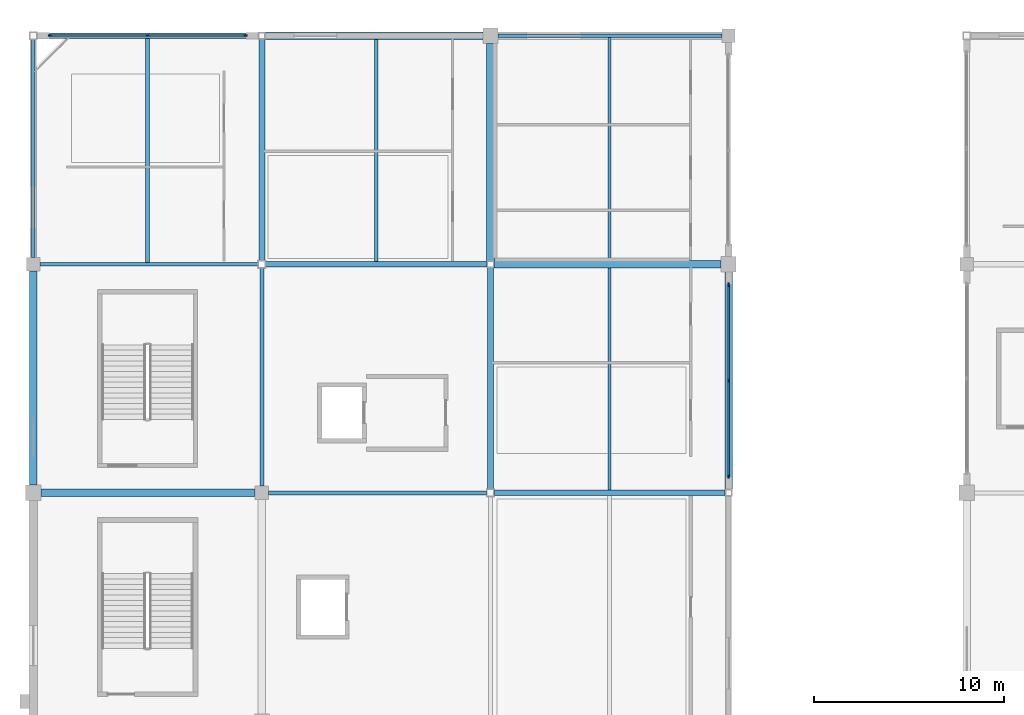
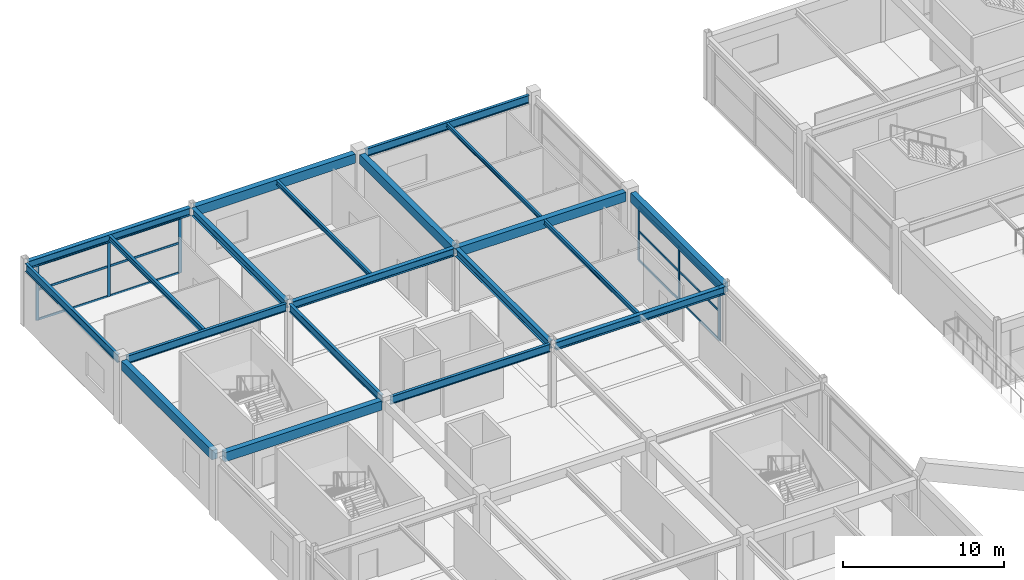
# One storey, part 62 of 128: 20 beams, 18 members, 2 elements without a shape of their own.
"""IFC4 building model written with IfcOpenShell, lengths in metres."""

from ifc_helpers import new_model, si_unit, direction, frame, origin, origin_2d, place, context, subcontext, project, spatial, rectangle, i_section, extrude, material, layer, layer_set, material_profile, profile_set, type_object, element, aggregate, save


model = new_model("IFC4")

# Units and contexts
model_context = context("Model", 3, precision=1e-05, world=origin(), true_north=direction((0.0, 1.0)))
body_context = subcontext(model_context, "Body", "Model", "MODEL_VIEW")
ifc_project = project(units=[si_unit("LENGTHUNIT", "METRE"), si_unit("AREAUNIT", "SQUARE_METRE"), si_unit("VOLUMEUNIT", "CUBIC_METRE"), si_unit("PLANEANGLEUNIT", "RADIAN"), si_unit("MASSUNIT", "GRAM", prefix="KILO")], contexts=[model_context])

# Site, building, storey
site_placement = place(None, origin())
site = spatial("IfcSite", under=ifc_project, at=site_placement, CompositionType="ELEMENT")
building_placement = place(site_placement, origin())
building = spatial("IfcBuilding", under=site, at=building_placement, Name="Kazenohara Klinker Stadium", CompositionType="ELEMENT")
storey_placement = place(building_placement, frame((0.0, 0.0, 15.300048828125)))
storey = spatial("IfcBuildingStorey", under=building, at=storey_placement, Name="L03", CompositionType="ELEMENT", Elevation=15.300048828125)

# Beams
ifc_material_1 = material(Name="Steel S355", Category="steel")
ifc_material_profile_1 = material_profile(ifc_material_1, i_section(OverallWidth=0.199951171875, OverallDepth=0.39990234375, WebThickness=0.008056640625, FlangeThickness=0.012939453125, FilletRadius=0.012939453125, at=origin_2d()), Name="H-400x200x8x13")
ifc_profile_set_1 = profile_set([ifc_material_profile_1], Name="Steel S355")
beam_type_1 = type_object("IfcBeamType", Name="BM-JST03", PredefinedType="JOIST", material=ifc_profile_set_1)
beam_1_placement = place(storey_placement, frame((6.0, 156.10009765625, 4.56005859375), z_axis=(0.0, 1.0, 0.0), x_axis=(-1.0, 0.0, 0.0)))
element("IfcBeam", 1, at=beam_1_placement, inside=storey, type_object=beam_type_1, Name="Secondary floor joist SJ03 L03 1/P", PredefinedType="JOIST", context=body_context, shape_type="SweptSolid", body=[
    extrude(i_section(OverallWidth=0.199951171875, OverallDepth=0.39990234375, WebThickness=0.008056640625, FlangeThickness=0.012939453125, FilletRadius=0.012939453125, at=origin_2d()), origin(), (0.0, 0.0, 1.0), 11.75),
])
ifc_material_profile_2 = material_profile(ifc_material_1, i_section(OverallWidth=0.175048828125, OverallDepth=0.35009765625, WebThickness=0.007080078125, FlangeThickness=0.010986328125, FilletRadius=0.012939453125, at=origin_2d()), Name="H-350x175x7x11")
ifc_profile_set_2 = profile_set([ifc_material_profile_2], Name="Steel S355")
beam_type_2 = type_object("IfcBeamType", Name="BM-JST04", PredefinedType="JOIST", material=ifc_profile_set_2)
for number, where, z_axis, x_axis, name in (
    (2, (18.0, 156.14990234375, 4.5849609375), (0.0, 1.0, 0.0), (-1.0, 0.0, 0.0), "Secondary floor joist SJ04 L03 2/P"),
    (3, (30.25, 144.14990234375, 4.5849609375), (0.0, 1.0, 0.0), (-1.0, 0.0, 0.0), "Secondary floor joist SJ04 L03 3/N"),
):
    element("IfcBeam", number, at=place(storey_placement, frame(where, z_axis=z_axis, x_axis=x_axis)), inside=storey, type_object=beam_type_2, Name=name, PredefinedType="JOIST", context=body_context, shape_type="SweptSolid", body=[
        extrude(i_section(OverallWidth=0.175048828125, OverallDepth=0.35009765625, WebThickness=0.007080078125, FlangeThickness=0.010986328125, FilletRadius=0.012939453125, at=origin_2d()), origin(), (0.0, 0.0, 1.0), 11.650146484375),
    ])
ifc_material_profile_3 = material_profile(ifc_material_1, i_section(OverallWidth=0.14990234375, OverallDepth=0.300048828125, WebThickness=0.006591796875, FlangeThickness=0.009033203125, FilletRadius=0.012939453125, at=origin_2d()), Name="H-300x150x6.5x9")
ifc_profile_set_3 = profile_set([ifc_material_profile_3], Name="Steel S355")
beam_type_3 = type_object("IfcBeamType", Name="BM-JST05", PredefinedType="JOIST", material=ifc_profile_set_3)
beam_2_placement = place(storey_placement, frame((30.25, 156.199951171875, 4.60986328125), z_axis=(0.0, 1.0, 0.0), x_axis=(-1.0, 0.0, 0.0)))
element("IfcBeam", 4, at=beam_2_placement, inside=storey, type_object=beam_type_3, Name="Secondary floor joist SJ05 L03 3/P", PredefinedType="JOIST", context=body_context, shape_type="SweptSolid", body=[
    extrude(i_section(OverallWidth=0.14990234375, OverallDepth=0.300048828125, WebThickness=0.006591796875, FlangeThickness=0.009033203125, FilletRadius=0.012939453125, at=origin_2d()), origin(), (0.0, 0.0, 1.0), 11.699951171875),
])
ifc_material_2 = material(Name="Concrete C40/50", Category="concrete")
ifc_material_profile_4 = material_profile(ifc_material_2, rectangle(XDim=0.39990234375, YDim=0.699951171875, at=origin_2d()), Name="RC-BM-400x700")
ifc_profile_set_4 = profile_set([ifc_material_profile_4], Name="Concrete C40/50")
beam_type_4 = type_object("IfcBeamType", Name="BM-RC04", PredefinedType="BEAM", material=ifc_profile_set_4)
beam_3_placement = place(storey_placement, frame((0.39990234375, 144.0, 4.409912109375), z_axis=(1.0, 0.0, 0.0), x_axis=(0.0, 1.0, 0.0)))
element("IfcBeam", 5, at=beam_3_placement, inside=storey, type_object=beam_type_4, Name="Primary girder BG04 L03 1-2/N", PredefinedType="BEAM", context=body_context, shape_type="SweptSolid", body=[
    extrude(rectangle(XDim=0.39990234375, YDim=0.699951171875, at=origin_2d()), origin(), (0.0, 0.0, 1.0), 11.25),
])
beam_4_placement = place(storey_placement, frame((12.175048828125, 168.0, 4.409912109375), z_axis=(1.0, 0.0, 0.0), x_axis=(0.0, 1.0, 0.0)))
element("IfcBeam", 6, at=beam_4_placement, inside=storey, type_object=beam_type_4, Name="Primary girder BG04 L03 2-3/Q", PredefinedType="BEAM", context=body_context, shape_type="SweptSolid", body=[
    extrude(rectangle(XDim=0.39990234375, YDim=0.699951171875, at=origin_2d()), origin(), (0.0, 0.0, 1.0), 11.425048828125),
])
beam_5_placement = place(storey_placement, frame((24.175048828125, 156.0, 4.409912109375), z_axis=(1.0, 0.0, 0.0), x_axis=(0.0, 1.0, 0.0)))
element("IfcBeam", 7, at=beam_5_placement, inside=storey, type_object=beam_type_4, Name="Primary girder BG04 L03 3-4/P", PredefinedType="BEAM", context=body_context, shape_type="SweptSolid", body=[
    extrude(rectangle(XDim=0.39990234375, YDim=0.699951171875, at=origin_2d()), origin(), (0.0, 0.0, 1.0), 11.925048828125),
])
beam_6_placement = place(storey_placement, frame((0.0, 144.39990234375, 4.409912109375), z_axis=(0.0, 1.0, 0.0), x_axis=(-1.0, 0.0, 0.0)))
element("IfcBeam", 8, at=beam_6_placement, inside=storey, type_object=beam_type_4, Name="Primary girder BG04 L03 1/N-P", PredefinedType="BEAM", context=body_context, shape_type="SweptSolid", body=[
    extrude(rectangle(XDim=0.39990234375, YDim=0.699951171875, at=origin_2d()), origin(), (0.0, 0.0, 1.0), 11.25),
])
for number, where, z_axis, x_axis, name in (
    (9, (24.0, 156.175048828125, 4.409912109375), (0.0, 1.0, 0.0), (-1.0, 0.0, 0.0), "Primary girder BG04 L03 3/P-Q"),
    (10, (36.5, 144.175048828125, 4.409912109375), (0.0, 1.0, 0.0), (-1.0, 0.0, 0.0), "Primary girder BG04 L03 4/N-P"),
):
    element("IfcBeam", number, at=place(storey_placement, frame(where, z_axis=z_axis, x_axis=x_axis)), inside=storey, type_object=beam_type_4, Name=name, PredefinedType="BEAM", context=body_context, shape_type="SweptSolid", body=[
        extrude(rectangle(XDim=0.39990234375, YDim=0.699951171875, at=origin_2d()), origin(), (0.0, 0.0, 1.0), 11.425048828125),
    ])
ifc_material_profile_5 = material_profile(ifc_material_1, i_section(OverallWidth=0.199951171875, OverallDepth=0.60009765625, WebThickness=0.010986328125, FlangeThickness=0.01708984375, FilletRadius=0.012939453125, at=origin_2d()), Name="H-600x200x11x17")
ifc_profile_set_5 = profile_set([ifc_material_profile_5], Name="Steel S355")
beam_type_5 = type_object("IfcBeamType", Name="BM-ST04", PredefinedType="BEAM", material=ifc_profile_set_5)
for number, where, z_axis, x_axis, name in (
    (11, (0.35009765625, 156.0, 4.4599609375), (1.0, 0.0, 0.0), (0.0, 1.0, 0.0), "Primary girder SB04 L03 1-2/P"),
    (12, (12.35009765625, 144.0, 4.4599609375), (1.0, 0.0, 0.0), (0.0, 1.0, 0.0), "Primary girder SB04 L03 2-3/N"),
):
    element("IfcBeam", number, at=place(storey_placement, frame(where, z_axis=z_axis, x_axis=x_axis)), inside=storey, type_object=beam_type_5, Name=name, PredefinedType="BEAM", context=body_context, shape_type="SweptSolid", body=[
        extrude(i_section(OverallWidth=0.199951171875, OverallDepth=0.60009765625, WebThickness=0.010986328125, FlangeThickness=0.01708984375, FilletRadius=0.012939453125, at=origin_2d()), origin(), (0.0, 0.0, 1.0), 11.449951171875),
    ])
beam_7_placement = place(storey_placement, frame((24.39990234375, 168.0, 4.4599609375), z_axis=(1.0, 0.0, 0.0), x_axis=(0.0, 1.0, 0.0)))
element("IfcBeam", 13, at=beam_7_placement, inside=storey, type_object=beam_type_5, Name="Primary girder SB04 L03 3-4/Q", PredefinedType="BEAM", context=body_context, shape_type="SweptSolid", body=[
    extrude(i_section(OverallWidth=0.199951171875, OverallDepth=0.60009765625, WebThickness=0.010986328125, FlangeThickness=0.01708984375, FilletRadius=0.012939453125, at=origin_2d()), origin(), (0.0, 0.0, 1.0), 11.75),
])
for number, where, z_axis, x_axis, name in (
    (14, (0.0, 156.35009765625, 4.4599609375), (0.0, 1.0, 0.0), (-1.0, 0.0, 0.0), "Primary girder SB04 L03 1/P-Q"),
    (15, (12.0, 144.35009765625, 4.4599609375), (0.0, 1.0, 0.0), (-1.0, 0.0, 0.0), "Primary girder SB04 L03 2/N-P"),
):
    element("IfcBeam", number, at=place(storey_placement, frame(where, z_axis=z_axis, x_axis=x_axis)), inside=storey, type_object=beam_type_5, Name=name, PredefinedType="BEAM", context=body_context, shape_type="SweptSolid", body=[
        extrude(i_section(OverallWidth=0.199951171875, OverallDepth=0.60009765625, WebThickness=0.010986328125, FlangeThickness=0.01708984375, FilletRadius=0.012939453125, at=origin_2d()), origin(), (0.0, 0.0, 1.0), 11.449951171875),
    ])
ifc_material_profile_6 = material_profile(ifc_material_1, i_section(OverallWidth=0.300048828125, OverallDepth=0.587890625, WebThickness=0.011962890625, FlangeThickness=0.02001953125, FilletRadius=0.02197265625, at=origin_2d()), Name="H-588x300x12x20")
ifc_profile_set_6 = profile_set([ifc_material_profile_6], Name="Steel S355")
beam_type_6 = type_object("IfcBeamType", Name="BM-ST05", PredefinedType="BEAM", material=ifc_profile_set_6)
for number, where, z_axis, x_axis, name in (
    (16, (0.199951171875, 168.0, 4.466064453125), (1.0, 0.0, 0.0), (0.0, 1.0, 0.0), "Primary girder SB05 L03 1-2/Q"),
    (17, (12.199951171875, 156.0, 4.466064453125), (1.0, 0.0, 0.0), (0.0, 1.0, 0.0), "Primary girder SB05 L03 2-3/P"),
):
    element("IfcBeam", number, at=place(storey_placement, frame(where, z_axis=z_axis, x_axis=x_axis)), inside=storey, type_object=beam_type_6, Name=name, PredefinedType="BEAM", context=body_context, shape_type="SweptSolid", body=[
        extrude(i_section(OverallWidth=0.300048828125, OverallDepth=0.587890625, WebThickness=0.011962890625, FlangeThickness=0.02001953125, FilletRadius=0.02197265625, at=origin_2d()), origin(), (0.0, 0.0, 1.0), 11.625),
    ])
beam_8_placement = place(storey_placement, frame((24.199951171875, 144.0, 4.466064453125), z_axis=(1.0, 0.0, 0.0), x_axis=(0.0, 1.0, 0.0)))
element("IfcBeam", 18, at=beam_8_placement, inside=storey, type_object=beam_type_6, Name="Primary girder SB05 L03 3-4/N", PredefinedType="BEAM", context=body_context, shape_type="SweptSolid", body=[
    extrude(i_section(OverallWidth=0.300048828125, OverallDepth=0.587890625, WebThickness=0.011962890625, FlangeThickness=0.02001953125, FilletRadius=0.02197265625, at=origin_2d()), origin(), (0.0, 0.0, 1.0), 12.125),
])
for number, where, z_axis, x_axis, name in (
    (19, (12.0, 156.199951171875, 4.466064453125), (0.0, 1.0, 0.0), (-1.0, 0.0, 0.0), "Primary girder SB05 L03 2/P-Q"),
    (20, (24.0, 144.199951171875, 4.466064453125), (0.0, 1.0, 0.0), (-1.0, 0.0, 0.0), "Primary girder SB05 L03 3/N-P"),
):
    element("IfcBeam", number, at=place(storey_placement, frame(where, z_axis=z_axis, x_axis=x_axis)), inside=storey, type_object=beam_type_6, Name=name, PredefinedType="BEAM", context=body_context, shape_type="SweptSolid", body=[
        extrude(i_section(OverallWidth=0.300048828125, OverallDepth=0.587890625, WebThickness=0.011962890625, FlangeThickness=0.02001953125, FilletRadius=0.02197265625, at=origin_2d()), origin(), (0.0, 0.0, 1.0), 11.625),
    ])

# Curtain wall, members
ifc_material_3 = material(Name="Anodised aluminium and triple glazing", Category="aluminium")
ifc_layer_1 = layer(ifc_material_3, 0.179931640625)
ifc_layer_set_1 = layer_set([ifc_layer_1], Name="Anodised aluminium and triple glazing")
curtain_wall_type_1 = type_object("IfcCurtainWallType", Name="CW-SYS-02", PredefinedType="USERDEFINED", material=ifc_layer_set_1)
curtain_wall_1_placement = place(storey_placement, origin())
curtain_wall_1 = element("IfcCurtainWall", 21, at=curtain_wall_1_placement, inside=storey, type_object=curtain_wall_type_1, Name="Unitised facade curtain wall CW02 L03 X0-14", ObjectType="UNITISED CURTAIN WALL", PredefinedType="USERDEFINED")
ifc_material_4 = material(Name="Anodised aluminium 6063-T6", Category="aluminium")
ifc_material_profile_7 = material_profile(ifc_material_4, rectangle(XDim=0.074951171875, YDim=0.219970703125, at=origin_2d()), Name="ALU-MUL-75x220")
ifc_profile_set_7 = profile_set([ifc_material_profile_7], Name="Anodised aluminium 6063-T6")
member_type_1 = type_object("IfcMemberType", Name="CW-MUL-220", PredefinedType="MULLION", material=ifc_profile_set_7)
member_1_placement = place(storey_placement, frame((0.8916015625, 168.0, 0.0), z_axis=(0.0, 0.0, 1.0), x_axis=(0.0, 1.0, 0.0)))
member_1 = element("IfcMember", 22, at=member_1_placement, type_object=member_type_1, Name="CW02 mullion 1", PredefinedType="MULLION", context=body_context, shape_type="SweptSolid", body=[
    extrude(rectangle(XDim=0.074951171875, YDim=0.219970703125, at=origin_2d()), origin(), (0.0, 0.0, 1.0), 4.171875),
])
member_2_placement = place(storey_placement, frame((6.012451171875, 168.0, 0.0), z_axis=(0.0, 0.0, 1.0), x_axis=(0.0, 1.0, 0.0)))
member_2 = element("IfcMember", 23, at=member_2_placement, type_object=member_type_1, Name="CW02 mullion 2", PredefinedType="MULLION", context=body_context, shape_type="SweptSolid", body=[
    extrude(rectangle(XDim=0.074951171875, YDim=0.219970703125, at=origin_2d()), origin(), (0.0, 0.0, 1.0), 4.171875),
])
member_3_placement = place(storey_placement, frame((11.133544921875, 168.0, 0.0), z_axis=(0.0, 0.0, 1.0), x_axis=(0.0, 1.0, 0.0)))
member_3 = element("IfcMember", 24, at=member_3_placement, type_object=member_type_1, Name="CW02 mullion 3", PredefinedType="MULLION", context=body_context, shape_type="SweptSolid", body=[
    extrude(rectangle(XDim=0.074951171875, YDim=0.219970703125, at=origin_2d()), origin(), (0.0, 0.0, 1.0), 4.171875),
])

ifc_layer_2 = layer(ifc_material_3, 0.18994140625)
ifc_layer_set_2 = layer_set([ifc_layer_2], Name="Anodised aluminium and triple glazing")
curtain_wall_type_2 = type_object("IfcCurtainWallType", Name="CW-SYS-05", PredefinedType="USERDEFINED", material=ifc_layer_set_2)
curtain_wall_2_placement = place(storey_placement, origin())
curtain_wall_2 = element("IfcCurtainWall", 25, at=curtain_wall_2_placement, inside=storey, type_object=curtain_wall_type_2, Name="Unitised facade curtain wall CW05 L03 Y3-12", ObjectType="UNITISED CURTAIN WALL", PredefinedType="USERDEFINED")
member_4_placement = place(storey_placement, frame((36.5, 144.866455078125, 0.0), z_axis=(0.0, 0.0, 1.0), x_axis=(-1.0, 0.0, 0.0)))
member_4 = element("IfcMember", 26, at=member_4_placement, type_object=member_type_1, Name="CW05 mullion 1", PredefinedType="MULLION", context=body_context, shape_type="SweptSolid", body=[
    extrude(rectangle(XDim=0.074951171875, YDim=0.219970703125, at=origin_2d()), origin(), (0.0, 0.0, 1.0), 4.06005859375),
])
member_5_placement = place(storey_placement, frame((36.5, 149.887451171875, 0.0), z_axis=(0.0, 0.0, 1.0), x_axis=(-1.0, 0.0, 0.0)))
member_5 = element("IfcMember", 27, at=member_5_placement, type_object=member_type_1, Name="CW05 mullion 2", PredefinedType="MULLION", context=body_context, shape_type="SweptSolid", body=[
    extrude(rectangle(XDim=0.074951171875, YDim=0.219970703125, at=origin_2d()), origin(), (0.0, 0.0, 1.0), 4.06005859375),
])
member_6_placement = place(storey_placement, frame((36.5, 154.908447265625, 0.0), z_axis=(0.0, 0.0, 1.0), x_axis=(-1.0, 0.0, 0.0)))
member_6 = element("IfcMember", 28, at=member_6_placement, type_object=member_type_1, Name="CW05 mullion 3", PredefinedType="MULLION", context=body_context, shape_type="SweptSolid", body=[
    extrude(rectangle(XDim=0.074951171875, YDim=0.219970703125, at=origin_2d()), origin(), (0.0, 0.0, 1.0), 4.06005859375),
])

# Member
ifc_material_profile_8 = material_profile(ifc_material_4, rectangle(XDim=0.074951171875, YDim=0.159912109375, at=origin_2d()), Name="ALU-TRN-75x160")
ifc_profile_set_8 = profile_set([ifc_material_profile_8], Name="Anodised aluminium 6063-T6")
member_type_2 = type_object("IfcMemberType", Name="CW-TRN-160", PredefinedType="USERDEFINED", material=ifc_profile_set_8)
member_7_placement = place(storey_placement, frame((0.928955078125, 168.0, 0.037353515625), z_axis=(1.0, 0.0, 0.0), x_axis=(0.0, 1.0, 0.0)))
member_7 = element("IfcMember", 29, at=member_7_placement, type_object=member_type_2, Name="CW02 transom 1.1", ObjectType="TRANSOM", PredefinedType="USERDEFINED", context=body_context, shape_type="SweptSolid", body=[
    extrude(rectangle(XDim=0.074951171875, YDim=0.159912109375, at=origin_2d()), origin(), (0.0, 0.0, 1.0), 5.046142578125),
])

member_8_placement = place(storey_placement, frame((0.928955078125, 168.0, 2.29443359375), z_axis=(1.0, 0.0, 0.0), x_axis=(0.0, 1.0, 0.0)))
member_8 = element("IfcMember", 30, at=member_8_placement, type_object=member_type_2, Name="CW02 transom 1.2", ObjectType="TRANSOM", PredefinedType="USERDEFINED", context=body_context, shape_type="SweptSolid", body=[
    extrude(rectangle(XDim=0.074951171875, YDim=0.159912109375, at=origin_2d()), origin(), (0.0, 0.0, 1.0), 5.046142578125),
])

member_9_placement = place(storey_placement, frame((0.928955078125, 168.0, 4.134521484375), z_axis=(1.0, 0.0, 0.0), x_axis=(0.0, 1.0, 0.0)))
member_9 = element("IfcMember", 31, at=member_9_placement, type_object=member_type_2, Name="CW02 transom 1.3", ObjectType="TRANSOM", PredefinedType="USERDEFINED", context=body_context, shape_type="SweptSolid", body=[
    extrude(rectangle(XDim=0.074951171875, YDim=0.159912109375, at=origin_2d()), origin(), (0.0, 0.0, 1.0), 5.046142578125),
])

member_10_placement = place(storey_placement, frame((6.050048828125, 168.0, 0.037353515625), z_axis=(1.0, 0.0, 0.0), x_axis=(0.0, 1.0, 0.0)))
member_10 = element("IfcMember", 32, at=member_10_placement, type_object=member_type_2, Name="CW02 transom 2.1", ObjectType="TRANSOM", PredefinedType="USERDEFINED", context=body_context, shape_type="SweptSolid", body=[
    extrude(rectangle(XDim=0.074951171875, YDim=0.159912109375, at=origin_2d()), origin(), (0.0, 0.0, 1.0), 5.0458984375),
])

member_11_placement = place(storey_placement, frame((6.050048828125, 168.0, 2.29443359375), z_axis=(1.0, 0.0, 0.0), x_axis=(0.0, 1.0, 0.0)))
member_11 = element("IfcMember", 33, at=member_11_placement, type_object=member_type_2, Name="CW02 transom 2.2", ObjectType="TRANSOM", PredefinedType="USERDEFINED", context=body_context, shape_type="SweptSolid", body=[
    extrude(rectangle(XDim=0.074951171875, YDim=0.159912109375, at=origin_2d()), origin(), (0.0, 0.0, 1.0), 5.0458984375),
])

member_12_placement = place(storey_placement, frame((6.050048828125, 168.0, 4.134521484375), z_axis=(1.0, 0.0, 0.0), x_axis=(0.0, 1.0, 0.0)))
member_12 = element("IfcMember", 34, at=member_12_placement, type_object=member_type_2, Name="CW02 transom 2.3", ObjectType="TRANSOM", PredefinedType="USERDEFINED", context=body_context, shape_type="SweptSolid", body=[
    extrude(rectangle(XDim=0.074951171875, YDim=0.159912109375, at=origin_2d()), origin(), (0.0, 0.0, 1.0), 5.0458984375),
])

aggregate(curtain_wall_1, [member_1, member_2, member_3, member_7, member_8, member_9, member_10, member_11, member_12])

member_13_placement = place(storey_placement, frame((36.5, 144.904052734375, 0.037353515625), z_axis=(0.0, 1.0, 0.0), x_axis=(-1.0, 0.0, 0.0)))
member_13 = element("IfcMember", 35, at=member_13_placement, type_object=member_type_2, Name="CW05 transom 1.1", ObjectType="TRANSOM", PredefinedType="USERDEFINED", context=body_context, shape_type="SweptSolid", body=[
    extrude(rectangle(XDim=0.074951171875, YDim=0.159912109375, at=origin_2d()), origin(), (0.0, 0.0, 1.0), 4.946044921875),
])

member_14_placement = place(storey_placement, frame((36.5, 144.904052734375, 2.23291015625), z_axis=(0.0, 1.0, 0.0), x_axis=(-1.0, 0.0, 0.0)))
member_14 = element("IfcMember", 36, at=member_14_placement, type_object=member_type_2, Name="CW05 transom 1.2", ObjectType="TRANSOM", PredefinedType="USERDEFINED", context=body_context, shape_type="SweptSolid", body=[
    extrude(rectangle(XDim=0.074951171875, YDim=0.159912109375, at=origin_2d()), origin(), (0.0, 0.0, 1.0), 4.946044921875),
])

member_15_placement = place(storey_placement, frame((36.5, 144.904052734375, 4.0224609375), z_axis=(0.0, 1.0, 0.0), x_axis=(-1.0, 0.0, 0.0)))
member_15 = element("IfcMember", 37, at=member_15_placement, type_object=member_type_2, Name="CW05 transom 1.3", ObjectType="TRANSOM", PredefinedType="USERDEFINED", context=body_context, shape_type="SweptSolid", body=[
    extrude(rectangle(XDim=0.074951171875, YDim=0.159912109375, at=origin_2d()), origin(), (0.0, 0.0, 1.0), 4.946044921875),
])

member_16_placement = place(storey_placement, frame((36.5, 149.925048828125, 0.037353515625), z_axis=(0.0, 1.0, 0.0), x_axis=(-1.0, 0.0, 0.0)))
member_16 = element("IfcMember", 38, at=member_16_placement, type_object=member_type_2, Name="CW05 transom 2.1", ObjectType="TRANSOM", PredefinedType="USERDEFINED", context=body_context, shape_type="SweptSolid", body=[
    extrude(rectangle(XDim=0.074951171875, YDim=0.159912109375, at=origin_2d()), origin(), (0.0, 0.0, 1.0), 4.946044921875),
])

member_17_placement = place(storey_placement, frame((36.5, 149.925048828125, 2.23291015625), z_axis=(0.0, 1.0, 0.0), x_axis=(-1.0, 0.0, 0.0)))
member_17 = element("IfcMember", 39, at=member_17_placement, type_object=member_type_2, Name="CW05 transom 2.2", ObjectType="TRANSOM", PredefinedType="USERDEFINED", context=body_context, shape_type="SweptSolid", body=[
    extrude(rectangle(XDim=0.074951171875, YDim=0.159912109375, at=origin_2d()), origin(), (0.0, 0.0, 1.0), 4.946044921875),
])

member_18_placement = place(storey_placement, frame((36.5, 149.925048828125, 4.0224609375), z_axis=(0.0, 1.0, 0.0), x_axis=(-1.0, 0.0, 0.0)))
member_18 = element("IfcMember", 40, at=member_18_placement, type_object=member_type_2, Name="CW05 transom 2.3", ObjectType="TRANSOM", PredefinedType="USERDEFINED", context=body_context, shape_type="SweptSolid", body=[
    extrude(rectangle(XDim=0.074951171875, YDim=0.159912109375, at=origin_2d()), origin(), (0.0, 0.0, 1.0), 4.946044921875),
])

aggregate(curtain_wall_2, [member_4, member_5, member_6, member_13, member_14, member_15, member_16, member_17, member_18])

save(model, "model.ifc")
